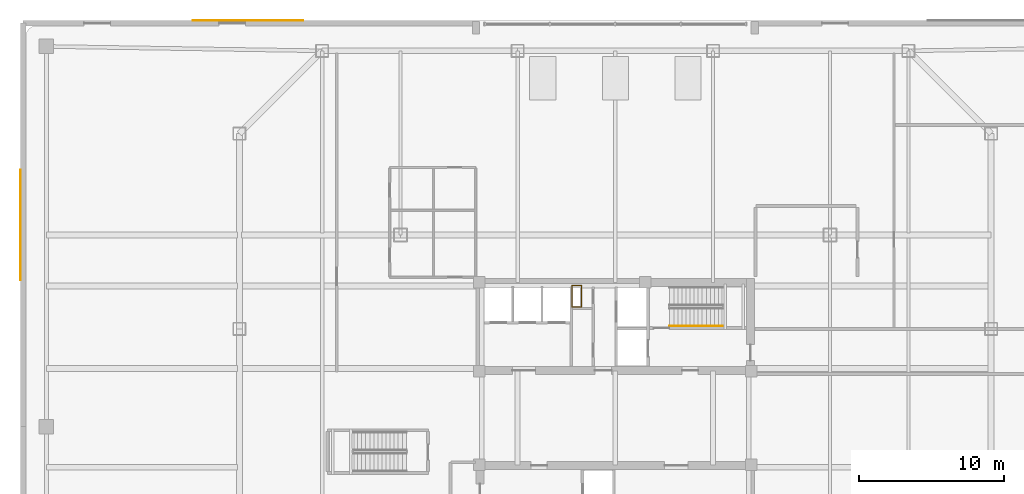
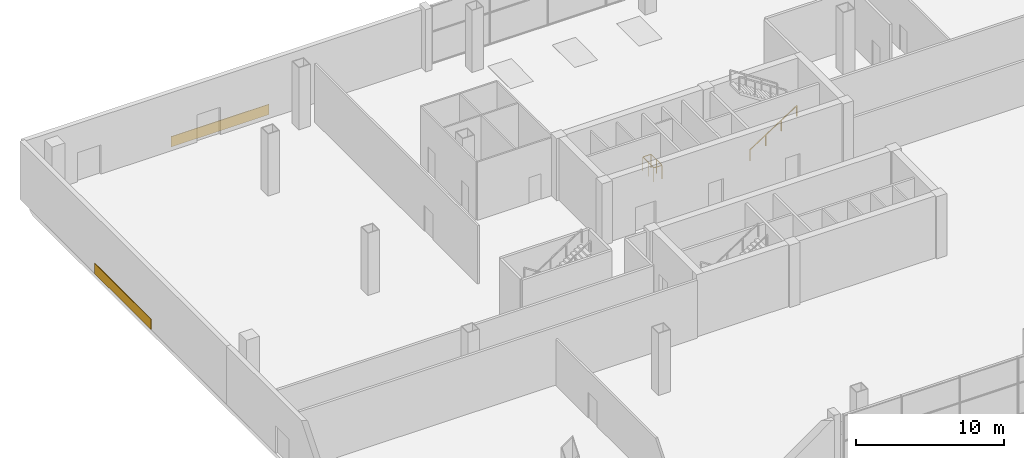
# One storey, part 17 of 21: 2 coverings, 2 railings.
"""IFC4 building model written with IfcOpenShell, lengths in metres."""

from ifc_helpers import new_model, si_unit, direction, frame, origin, origin_2d, place, context, subcontext, project, spatial, rectangle, extrude, material, layer, layer_set, type_object, element, save


model = new_model("IFC4")

# Units and contexts
model_context = context("Model", 3, precision=1e-05, world=origin(), true_north=direction((0.0, 1.0)))
body_context = subcontext(model_context, "Body", "Model", "MODEL_VIEW")
ifc_project = project(units=[si_unit("LENGTHUNIT", "METRE"), si_unit("AREAUNIT", "SQUARE_METRE"), si_unit("VOLUMEUNIT", "CUBIC_METRE"), si_unit("PLANEANGLEUNIT", "RADIAN"), si_unit("MASSUNIT", "GRAM", prefix="KILO")], contexts=[model_context])

# Site, building, storey
site_placement = place(None, origin())
site = spatial("IfcSite", under=ifc_project, at=site_placement, CompositionType="ELEMENT")
building_placement = place(site_placement, origin())
building = spatial("IfcBuilding", under=site, at=building_placement, Name="Qhalaya Broadcast Tower", CompositionType="ELEMENT")
storey_placement = place(building_placement, origin())
storey = spatial("IfcBuildingStorey", under=building, at=storey_placement, Name="L00", CompositionType="ELEMENT", Elevation=0.0)

# Coverings
ifc_material_1 = material(Name="Fired Architectural Terracotta", Category="masonry")
ifc_layer = layer(ifc_material_1, 0.044921875, Name="Fired Architectural Terracotta")
ifc_layer_set = layer_set([ifc_layer], Name="Fired Architectural Terracotta")
covering_type = type_object("IfcCoveringType", Name="Polychrome Terracotta Rainscreen Cladding CLD-01", PredefinedType="CLADDING", material=ifc_layer_set)
for number, where, z_axis, x_axis, name in (
    (1, (-25.320068359375, 28.0, 0.02490234375), (0.0, 0.0, 1.0), (1.0, 0.0, 0.0), "L00 Terracotta Spandrel Cladding EW-NW"),
    (2, (-41.0, 13.89990234375, 0.02490234375), (0.0, 0.0, 1.0), (0.0, 1.0, 0.0), "L00 Terracotta Spandrel Cladding EW-WN"),
):
    element("IfcCovering", number, at=place(storey_placement, frame(where, z_axis=z_axis, x_axis=x_axis)), inside=storey, type_object=covering_type, Name=name, PredefinedType="CLADDING", context=body_context, shape_type="SweptSolid", body=[
        extrude(rectangle(XDim=7.60009765625, YDim=0.044921875, at=origin_2d()), origin(), (0.0, 0.0, 1.0), 0.85009765625),
    ])

# Railings
ifc_material_2 = material(Name="Powder-Coated Galvanised Steel", Category="steel")
railing_type_1 = type_object("IfcRailingType", Name="Stair Wall Handrail 900", PredefinedType="HANDRAIL", material=ifc_material_2)
railing_1_placement = place(storey_placement, frame((3.75, 6.929931640625, 0.18212890625)))
element("IfcRailing", 3, at=railing_1_placement, inside=storey, type_object=railing_type_1, Name="L00 ST-1 Stair Handrail 1", PredefinedType="HANDRAIL", context=body_context, shape_type="SweptSolid", body=[
    extrude(rectangle(XDim=0.048095703125, YDim=0.048095703125, at=origin_2d()), frame((0.0, 0.0, 0.8759765625), z_axis=(0.838234174257, 0.0, 0.545310433706), x_axis=(0.0, 1.0, 0.0)), (0.0, 0.0, 1.0), 4.34228515625),
    extrude(rectangle(XDim=0.0419921875, YDim=0.0419921875, at=origin_2d()), origin(), (0.0, 0.0, 1.0), 0.849853515625),
    extrude(rectangle(XDim=0.0419921875, YDim=0.0419921875, at=origin_2d()), frame((1.21337890625, 0.0, 0.789306640625)), (0.0, 0.0, 1.0), 0.849853515625),
    extrude(rectangle(XDim=0.0419921875, YDim=0.0419921875, at=origin_2d()), frame((2.426513671875, 0.0, 1.57861328125)), (0.0, 0.0, 1.0), 0.849853515625),
    extrude(rectangle(XDim=0.0419921875, YDim=0.0419921875, at=origin_2d()), frame((3.639892578125, 0.0, 2.367919921875)), (0.0, 0.0, 1.0), 0.849853515625),
])
railing_type_2 = type_object("IfcRailingType", Name="Stair Well & Landing Guardrail 1100", PredefinedType="GUARDRAIL", material=ifc_material_2)
railing_2_placement = place(storey_placement, frame((-2.340087890625, 8.239990234375, 0.0)))
element("IfcRailing", 4, at=railing_2_placement, inside=storey, type_object=railing_type_2, Name="L00 Service Riser Opening Safety Guard NRSR", PredefinedType="GUARDRAIL", context=body_context, shape_type="SweptSolid", body=[
    extrude(rectangle(XDim=0.048095703125, YDim=0.048095703125, at=origin_2d()), frame((0.0, 0.02880859375, 1.1259765625), z_axis=(0.0, 1.0, 0.0), x_axis=(-1.0, 0.0, 0.0)), (0.0, 0.0, 1.0), 1.42236328125),
    extrude(rectangle(XDim=0.048095703125, YDim=0.048095703125, at=origin_2d()), frame((-0.02880859375, 1.47998046875, 1.1259765625), z_axis=(-1.0, 0.0, 0.0), x_axis=(0.0, -1.0, 0.0)), (0.0, 0.0, 1.0), 0.582275390625),
    extrude(rectangle(XDim=0.048095703125, YDim=0.048095703125, at=origin_2d()), frame((-0.639892578125, 1.451171875, 1.1259765625), z_axis=(0.0, -1.0, 0.0), x_axis=(1.0, 0.0, 0.0)), (0.0, 0.0, 1.0), 1.42236328125),
    extrude(rectangle(XDim=0.048095703125, YDim=0.048095703125, at=origin_2d()), frame((-0.611083984375, 0.0, 1.1259765625), z_axis=(1.0, 0.0, 0.0), x_axis=(0.0, 1.0, 0.0)), (0.0, 0.0, 1.0), 0.582275390625),
    extrude(rectangle(XDim=0.0419921875, YDim=0.0419921875, at=origin_2d()), origin(), (0.0, 0.0, 1.0), 1.099853515625),
    extrude(rectangle(XDim=0.0419921875, YDim=0.0419921875, at=origin_2d()), frame((0.0, 0.739990234375, 0.0)), (0.0, 0.0, 1.0), 1.099853515625),
    extrude(rectangle(XDim=0.0419921875, YDim=0.0419921875, at=origin_2d()), frame((0.0, 1.47998046875, 0.0)), (0.0, 0.0, 1.0), 1.099853515625),
    extrude(rectangle(XDim=0.0419921875, YDim=0.0419921875, at=origin_2d()), frame((-0.639892578125, 1.47998046875, 0.0)), (0.0, 0.0, 1.0), 1.099853515625),
    extrude(rectangle(XDim=0.0419921875, YDim=0.0419921875, at=origin_2d()), frame((-0.639892578125, 0.739990234375, 0.0)), (0.0, 0.0, 1.0), 1.099853515625),
    extrude(rectangle(XDim=0.0419921875, YDim=0.0419921875, at=origin_2d()), frame((-0.639892578125, 0.0, 0.0)), (0.0, 0.0, 1.0), 1.099853515625),
])

save(model, "model.ifc")
